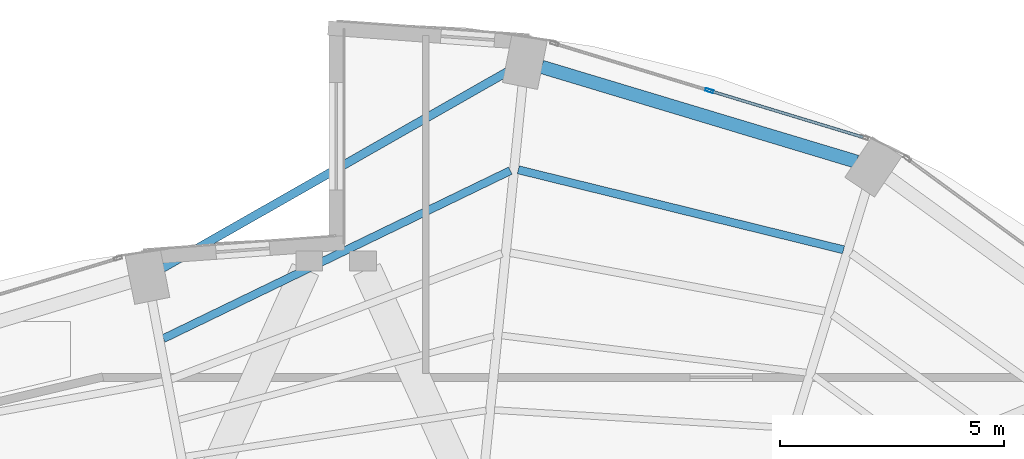
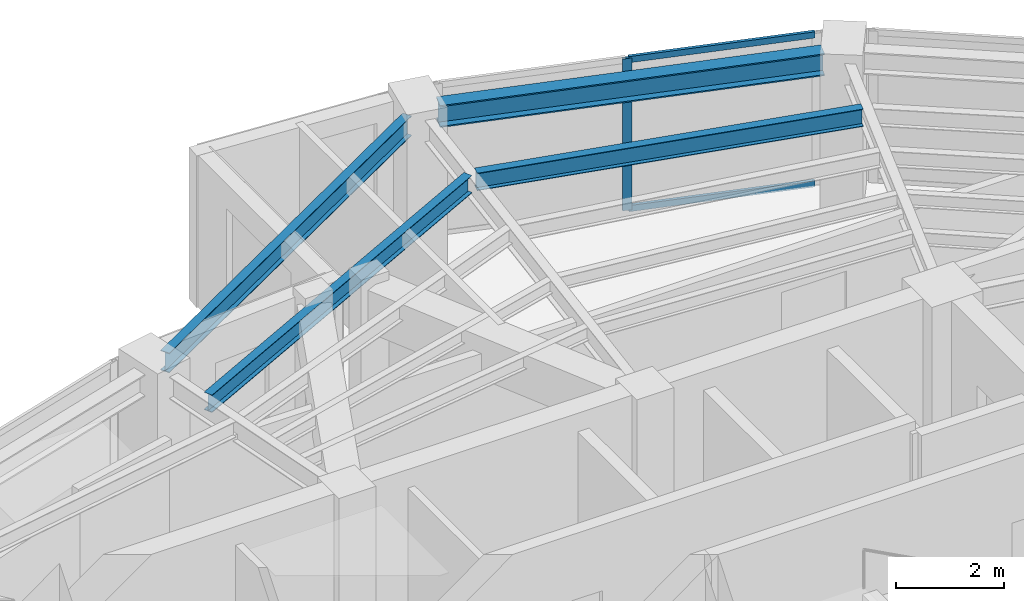
# One storey, part 16 of 22: 4 beams, 3 members, 1 element without a shape of its own.
"""IFC4 building model written with IfcOpenShell, lengths in metres."""

from ifc_helpers import new_model, si_unit, direction, frame, origin, origin_2d, place, context, subcontext, project, spatial, hollow_rectangle, i_section, extrude, material, layer, layer_set, material_profile, profile_set, type_object, element, aggregate, save


model = new_model("IFC4")

# Units and contexts
model_context = context("Model", 3, precision=1e-05, world=origin(), true_north=direction((0.0, 1.0)))
body_context = subcontext(model_context, "Body", "Model", "MODEL_VIEW")
ifc_project = project(units=[si_unit("LENGTHUNIT", "METRE"), si_unit("AREAUNIT", "SQUARE_METRE"), si_unit("VOLUMEUNIT", "CUBIC_METRE"), si_unit("PLANEANGLEUNIT", "RADIAN"), si_unit("MASSUNIT", "GRAM", prefix="KILO")], contexts=[model_context])

# Site, building, storey
site_placement = place(None, origin())
site = spatial("IfcSite", under=ifc_project, at=site_placement, CompositionType="ELEMENT")
building_placement = place(site_placement, origin())
building = spatial("IfcBuilding", under=site, at=building_placement, Name="Lazwardi Medical Tower", CompositionType="ELEMENT")
storey_placement = place(building_placement, frame((0.0, 0.0, 258.672119140625)))
storey = spatial("IfcBuildingStorey", under=building, at=storey_placement, Name="L67", CompositionType="ELEMENT", Elevation=258.672119140625)

# Beams
ifc_material_1 = material(Name="Steel S355", Category="steel")
ifc_material_profile_1 = material_profile(ifc_material_1, i_section(OverallWidth=0.300048828125, OverallDepth=0.5, WebThickness=0.014404296875, FlangeThickness=0.028076171875, at=origin_2d()), Name="HEB 500")
ifc_profile_set_1 = profile_set([ifc_material_profile_1], Name="Steel S355")
beam_type_1 = type_object("IfcBeamType", Name="BM-RB-Z4", PredefinedType="BEAM", material=ifc_profile_set_1)
beam_1_placement = place(storey_placement, frame((47.626953125, 43.56640625, 3.197998046875), z_axis=(-0.957544311906, 0.288286126506, 0.0), x_axis=(-0.288286126506, -0.957544311906, 0.0)))
element("IfcBeam", 1, at=beam_1_placement, inside=storey, type_object=beam_type_1, Name="Ring beam RB-05 B07 L67", PredefinedType="BEAM", context=body_context, shape_type="SweptSolid", body=[
    extrude(i_section(OverallWidth=0.300048828125, OverallDepth=0.5, WebThickness=0.014404296875, FlangeThickness=0.028076171875, at=origin_2d()), origin(), (0.0, 0.0, 1.0), 7.3515625),
])
ifc_material_profile_2 = material_profile(ifc_material_1, i_section(OverallWidth=0.179931640625, OverallDepth=0.39990234375, WebThickness=0.008544921875, FlangeThickness=0.013427734375, at=origin_2d()), Name="IPE 400")
ifc_profile_set_2 = profile_set([ifc_material_profile_2], Name="Steel S355")
beam_type_2 = type_object("IfcBeamType", Name="BM-SJ-01", PredefinedType="JOIST", material=ifc_profile_set_2)
beam_2_placement = place(storey_placement, frame((47.334228515625, 41.59912109375, 3.247802734375), z_axis=(-0.971041669317, 0.238910184904, 0.0), x_axis=(-0.238910184904, -0.971041669317, 0.0)))
element("IfcBeam", 2, at=beam_2_placement, inside=storey, type_object=beam_type_2, Name="Secondary joist SJ-01 R1 B07 L67", PredefinedType="JOIST", context=body_context, shape_type="SweptSolid", body=[
    extrude(i_section(OverallWidth=0.179931640625, OverallDepth=0.39990234375, WebThickness=0.008544921875, FlangeThickness=0.013427734375, at=origin_2d()), origin(), (0.0, 0.0, 1.0), 7.482421875),
])
beam_3_placement = place(storey_placement, frame((39.89111328125, 43.367919921875, 3.247802734375), z_axis=(-0.900068885459, -0.435747635024, 0.0), x_axis=(0.435747635024, -0.900068885459, 0.0)))
element("IfcBeam", 3, at=beam_3_placement, inside=storey, type_object=beam_type_2, Name="Secondary joist SJ-01 R1 B08 L67", PredefinedType="JOIST", context=body_context, shape_type="SweptSolid", body=[
    extrude(i_section(OverallWidth=0.179931640625, OverallDepth=0.39990234375, WebThickness=0.008544921875, FlangeThickness=0.013427734375, at=origin_2d()), origin(), (0.0, 0.0, 1.0), 8.612548828125),
])
ifc_material_profile_3 = material_profile(ifc_material_1, i_section(OverallWidth=0.18994140625, OverallDepth=0.449951171875, WebThickness=0.009521484375, FlangeThickness=0.0146484375, at=origin_2d()), Name="IPE 450")
ifc_profile_set_3 = profile_set([ifc_material_profile_3], Name="Steel S355")
beam_type_3 = type_object("IfcBeamType", Name="BM-SP-01", PredefinedType="SPANDREL", material=ifc_profile_set_3)
beam_4_placement = place(storey_placement, frame((39.875, 45.605224609375, 3.222900390625), z_axis=(-0.868954808466, -0.494891443494, 0.0), x_axis=(0.494891443494, -0.868954808466, 0.0)))
element("IfcBeam", 4, at=beam_4_placement, inside=storey, type_object=beam_type_3, Name="Spandrel beam SP-01 B08 L67", PredefinedType="SPANDREL", context=body_context, shape_type="SweptSolid", body=[
    extrude(i_section(OverallWidth=0.18994140625, OverallDepth=0.449951171875, WebThickness=0.009521484375, FlangeThickness=0.0146484375, at=origin_2d()), origin(), (0.0, 0.0, 1.0), 8.918701171875),
])

# Curtain wall, members
ifc_material_2 = material(Name="Anodised bronze aluminium and solar control glazing", Category="aluminium")
ifc_layer = layer(ifc_material_2, 0.18994140625)
ifc_layer_set = layer_set([ifc_layer], Name="Anodised bronze aluminium and solar control glazing")
curtain_wall_type = type_object("IfcCurtainWallType", Name="CW-SYS-04", PredefinedType="NOTDEFINED", material=ifc_layer_set)
curtain_wall_placement = place(storey_placement, origin())
curtain_wall = element("IfcCurtainWall", 5, at=curtain_wall_placement, inside=storey, type_object=curtain_wall_type, Name="L67 Unitised bronze curtain wall CW-04", PredefinedType="NOTDEFINED")
ifc_material_3 = material(Name="Anodised bronze aluminium", Category="aluminium")
ifc_material_profile_4 = material_profile(ifc_material_3, hollow_rectangle(XDim=0.06494140625, YDim=0.179931640625, WallThickness=0.00390625, at=origin_2d()), Name="ALU-MULLION 180x65x4")
ifc_profile_set_4 = profile_set([ifc_material_profile_4], Name="Anodised bronze aluminium")
member_type_1 = type_object("IfcMemberType", Name="CW-MUL-03", PredefinedType="MULLION", material=ifc_profile_set_4)
member_1_placement = place(storey_placement, frame((44.33642578125, 45.1552734375, 0.0), z_axis=(0.0, 0.0, 1.0), x_axis=(-0.290581889515, -0.956850126972, 0.0)))
member_1 = element("IfcMember", 6, at=member_1_placement, type_object=member_type_1, Name="CW-04 mullion 2", PredefinedType="MULLION", context=body_context, shape_type="SweptSolid", body=[
    extrude(hollow_rectangle(XDim=0.06494140625, YDim=0.179931640625, WallThickness=0.00390625, at=origin_2d()), origin(), (0.0, 0.0, 1.0), 3.447998046875),
])
ifc_material_profile_5 = material_profile(ifc_material_3, hollow_rectangle(XDim=0.06494140625, YDim=0.139892578125, WallThickness=0.00341796875, at=origin_2d()), Name="ALU-TRANSOM 140x65x3.5")
ifc_profile_set_5 = profile_set([ifc_material_profile_5], Name="Anodised bronze aluminium")
member_type_2 = type_object("IfcMemberType", Name="CW-TRN-03", PredefinedType="USERDEFINED", material=ifc_profile_set_5)
member_2_placement = place(storey_placement, frame((47.7685546875, 44.113037109375, 0.032470703125), z_axis=(-0.956862505902, 0.290541124109, 0.0), x_axis=(-0.290541124109, -0.956862505902, 0.0)))
member_2 = element("IfcMember", 7, at=member_2_placement, type_object=member_type_2, Name="CW-04 transom 1.1", ObjectType="TRANSOM", PredefinedType="USERDEFINED", context=body_context, shape_type="SweptSolid", body=[
    extrude(hollow_rectangle(XDim=0.06494140625, YDim=0.139892578125, WallThickness=0.00341796875, at=origin_2d()), origin(), (0.0, 0.0, 1.0), 3.554443359375),
])
member_3_placement = place(storey_placement, frame((47.7685546875, 44.113037109375, 3.415283203125), z_axis=(-0.956862505902, 0.290541124109, 0.0), x_axis=(-0.290541124109, -0.956862505902, 0.0)))
member_3 = element("IfcMember", 8, at=member_3_placement, type_object=member_type_2, Name="CW-04 transom 1.2", ObjectType="TRANSOM", PredefinedType="USERDEFINED", context=body_context, shape_type="SweptSolid", body=[
    extrude(hollow_rectangle(XDim=0.06494140625, YDim=0.139892578125, WallThickness=0.00341796875, at=origin_2d()), origin(), (0.0, 0.0, 1.0), 3.554443359375),
])
aggregate(curtain_wall, [member_1, member_2, member_3])

save(model, "model.ifc")
